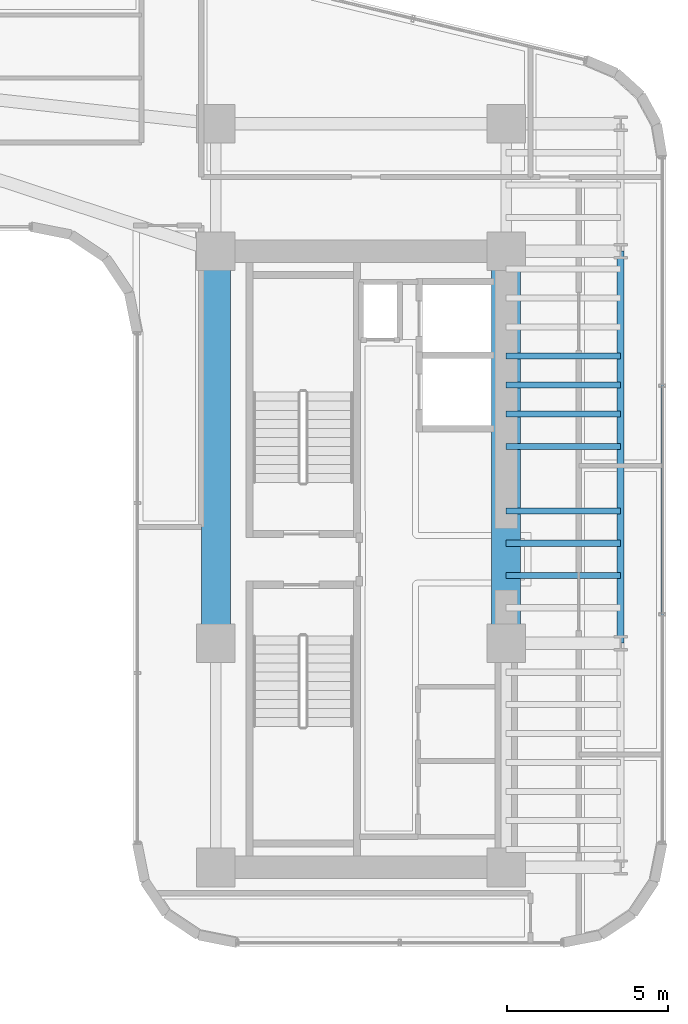
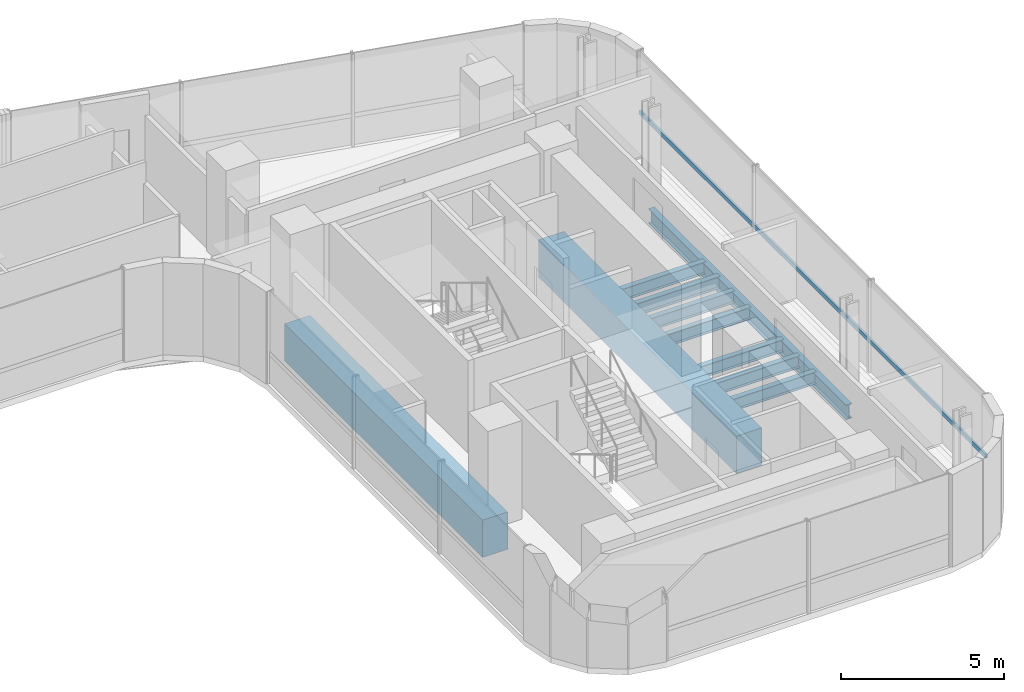
# One storey, part 18 of 38: 10 beams, 1 member, 1 element without a shape of its own.
"""IFC4 building model written with IfcOpenShell, lengths in metres."""

from ifc_helpers import new_model, si_unit, direction, frame, origin, origin_2d, place, context, subcontext, project, spatial, rectangle, hollow_rectangle, i_section, extrude, source, transform, mapped, material, material_profile, profile_set, type_object, element, aggregate, save


model = new_model("IFC4")

# Units and contexts
model_context = context("Model", 3, precision=1e-05, world=origin(), true_north=direction((0.0, 1.0)))
body_context = subcontext(model_context, "Body", "Model", "MODEL_VIEW")
ifc_project = project(units=[si_unit("LENGTHUNIT", "METRE"), si_unit("AREAUNIT", "SQUARE_METRE"), si_unit("VOLUMEUNIT", "CUBIC_METRE"), si_unit("PLANEANGLEUNIT", "RADIAN"), si_unit("MASSUNIT", "GRAM", prefix="KILO")], contexts=[model_context])

# Site, building, storey
site_placement = place(None, origin())
site = spatial("IfcSite", under=ifc_project, at=site_placement, CompositionType="ELEMENT")
building_placement = place(site_placement, origin())
building = spatial("IfcBuilding", under=site, at=building_placement, Name="Valdorenza Pilgrim Sanctuary Tower", CompositionType="ELEMENT")
storey_placement = place(building_placement, frame((0.0, 0.0, 131.60009765625)))
storey = spatial("IfcBuildingStorey", under=building, at=storey_placement, Name="L33", CompositionType="ELEMENT", Elevation=131.60009765625)

# Beams
ifc_material_1 = material(Name="Concrete C60/75", Category="concrete")
ifc_material_profile_1 = material_profile(ifc_material_1, rectangle(XDim=0.89990234375, YDim=1.39990234375, at=origin_2d()), Name="RC 1400x900")
ifc_profile_set_1 = profile_set([ifc_material_profile_1], Name="Concrete C60/75")
beam_type_1 = type_object("IfcBeamType", Name="STR-BM-LNT-1400", PredefinedType="LINTEL", material=ifc_profile_set_1)
shared_shape_1 = source(origin(), body_context, "Body", "SweptSolid", [
    extrude(rectangle(XDim=0.89990234375, YDim=1.39990234375, at=origin_2d()), origin(), (0.0, 0.0, 1.0), 12.150146484375),
])
for number, where, z_axis, x_axis, name in (
    (1, (15.85009765625, -2.60009765625, -0.739990234375), (0.0, 1.0, 0.0), (-1.0, 0.0, 0.0), "L33 Core B West Coupling Lintel Girder"),
    (2, (24.85009765625, -2.60009765625, -0.739990234375), (0.0, 1.0, 0.0), (-1.0, 0.0, 0.0), "L33 Core B East Coupling Lintel Girder"),
):
    element("IfcBeam", number, at=place(storey_placement, frame(where, z_axis=z_axis, x_axis=x_axis)), inside=storey, type_object=beam_type_1, Name=name, PredefinedType="LINTEL", context=body_context, shape_type="MappedRepresentation", body=[
        mapped(shared_shape_1, transform((0.0, 0.0, 0.0), x_axis=(1.0, 0.0, 0.0), y_axis=(0.0, 1.0, 0.0), z_axis=(0.0, 0.0, 1.0), scale=1.0)),
    ])
ifc_material_2 = material(Name="Steel ASTM A992 Grade 50", Category="steel")
ifc_material_profile_2 = material_profile(ifc_material_2, i_section(OverallWidth=0.214111328125, OverallDepth=0.549072265625, WebThickness=0.0146484375, FlangeThickness=0.023681640625, at=origin_2d()), Name="W21X93")
ifc_profile_set_2 = profile_set([ifc_material_profile_2], Name="Steel ASTM A992 Grade 50")
beam_type_2 = type_object("IfcBeamType", Name="STR-BM-SPN-W21A", PredefinedType="SPANDREL", material=ifc_profile_set_2)
shared_shape_2 = source(origin(), body_context, "Body", "SweptSolid", [
    extrude(i_section(OverallWidth=0.214111328125, OverallDepth=0.549072265625, WebThickness=0.0146484375, FlangeThickness=0.023681640625, at=origin_2d()), origin(), (0.0, 0.0, 1.0), 12.150146484375),
])
beam_placement = place(storey_placement, frame((28.39990234375, -2.60009765625, -0.5146484375), z_axis=(0.0, 1.0, 0.0), x_axis=(-1.0, 0.0, 0.0)))
element("IfcBeam", 3, at=beam_placement, inside=storey, type_object=beam_type_2, Name="L33 Spandrel Beam WB-E-M0N1", PredefinedType="SPANDREL", context=body_context, shape_type="MappedRepresentation", body=[
    mapped(shared_shape_2, transform((0.0, 0.0, 0.0), x_axis=(1.0, 0.0, 0.0), y_axis=(0.0, 1.0, 0.0), z_axis=(0.0, 0.0, 1.0), scale=1.0)),
])
ifc_material_profile_3 = material_profile(ifc_material_2, i_section(OverallWidth=0.19091796875, OverallDepth=0.45703125, WebThickness=0.009033203125, FlangeThickness=0.014404296875, at=origin_2d()), Name="W18X50")
ifc_profile_set_3 = profile_set([ifc_material_profile_3], Name="Steel ASTM A992 Grade 50")
beam_type_3 = type_object("IfcBeamType", Name="STR-BM-JST-W18B", PredefinedType="JOIST", material=ifc_profile_set_3)
shared_shape_3 = source(origin(), body_context, "Body", "SweptSolid", [
    extrude(i_section(OverallWidth=0.19091796875, OverallDepth=0.45703125, WebThickness=0.009033203125, FlangeThickness=0.014404296875, at=origin_2d()), origin(), (0.0, 0.0, 1.0), 3.5498046875),
])
for number, where, z_axis, x_axis, name in (
    (4, (24.85009765625, -0.5, -0.468505859375), (1.0, 0.0, 0.0), (0.0, 1.0, 0.0), "L33 Composite Floor Joist JST-WB-9"),
    (5, (24.85009765625, 0.5, -0.468505859375), (1.0, 0.0, 0.0), (0.0, 1.0, 0.0), "L33 Composite Floor Joist JST-WB-10"),
    (6, (24.85009765625, 1.5, -0.468505859375), (1.0, 0.0, 0.0), (0.0, 1.0, 0.0), "L33 Composite Floor Joist JST-WB-11"),
    (7, (24.85009765625, 3.5, -0.468505859375), (1.0, 0.0, 0.0), (0.0, 1.0, 0.0), "L33 Composite Floor Joist JST-WB-12"),
    (8, (24.85009765625, 4.5, -0.468505859375), (1.0, 0.0, 0.0), (0.0, 1.0, 0.0), "L33 Composite Floor Joist JST-WB-13"),
    (9, (24.85009765625, 5.39990234375, -0.468505859375), (1.0, 0.0, 0.0), (0.0, 1.0, 0.0), "L33 Composite Floor Joist JST-WB-14"),
    (10, (24.85009765625, 6.300048828125, -0.468505859375), (1.0, 0.0, 0.0), (0.0, 1.0, 0.0), "L33 Composite Floor Joist JST-WB-15"),
):
    element("IfcBeam", number, at=place(storey_placement, frame(where, z_axis=z_axis, x_axis=x_axis)), inside=storey, type_object=beam_type_3, Name=name, PredefinedType="JOIST", context=body_context, shape_type="MappedRepresentation", body=[
        mapped(shared_shape_3, transform((0.0, 0.0, 0.0), x_axis=(1.0, 0.0, 0.0), y_axis=(0.0, 1.0, 0.0), z_axis=(0.0, 0.0, 1.0), scale=1.0)),
    ])

# Curtain wall, member
ifc_material_3 = material(Name="Curtain-wall IGU glazing", Category="glass")
curtain_wall_type = type_object("IfcCurtainWallType", Name="CW-SYS-03", PredefinedType="NOTDEFINED", material=ifc_material_3)
curtain_wall_placement = place(storey_placement, origin())
curtain_wall = element("IfcCurtainWall", 11, at=curtain_wall_placement, inside=storey, type_object=curtain_wall_type, Name="L33 Curtain Wall CW-L33-1-21", PredefinedType="NOTDEFINED")
ifc_material_4 = material(Name="Anodised aluminium AW-6060", Category="aluminium")
ifc_material_profile_4 = material_profile(ifc_material_4, hollow_rectangle(XDim=0.074951171875, YDim=0.159912109375, WallThickness=0.00390625, at=origin_2d()), Name="ALU-T 160x75x4")
ifc_profile_set_4 = profile_set([ifc_material_profile_4], Name="Anodised aluminium AW-6060")
member_type = type_object("IfcMemberType", Name="CW-TRN-03", PredefinedType="USERDEFINED", material=ifc_profile_set_4)
shared_shape_4 = source(origin(), body_context, "Body", "SweptSolid", [
    extrude(hollow_rectangle(XDim=0.074951171875, YDim=0.159912109375, WallThickness=0.00390625, at=origin_2d()), origin(), (0.0, 0.0, 1.0), 21.255615234375),
])
member_placement = place(storey_placement, frame((29.68994140625, 12.46630859375, 1.119873046875), z_axis=(0.0, -1.0, 0.0), x_axis=(1.0, 0.0, 0.0)))
member = element("IfcMember", 12, at=member_placement, type_object=member_type, Name="CW-L33-1-21 Transom 1", ObjectType="TRANSOM", PredefinedType="USERDEFINED", context=body_context, shape_type="MappedRepresentation", body=[
    mapped(shared_shape_4, transform((0.0, 0.0, 0.0), x_axis=(1.0, 0.0, 0.0), y_axis=(0.0, 1.0, 0.0), z_axis=(0.0, 0.0, 1.0), scale=1.0)),
])
aggregate(curtain_wall, [member])

save(model, "model.ifc")
